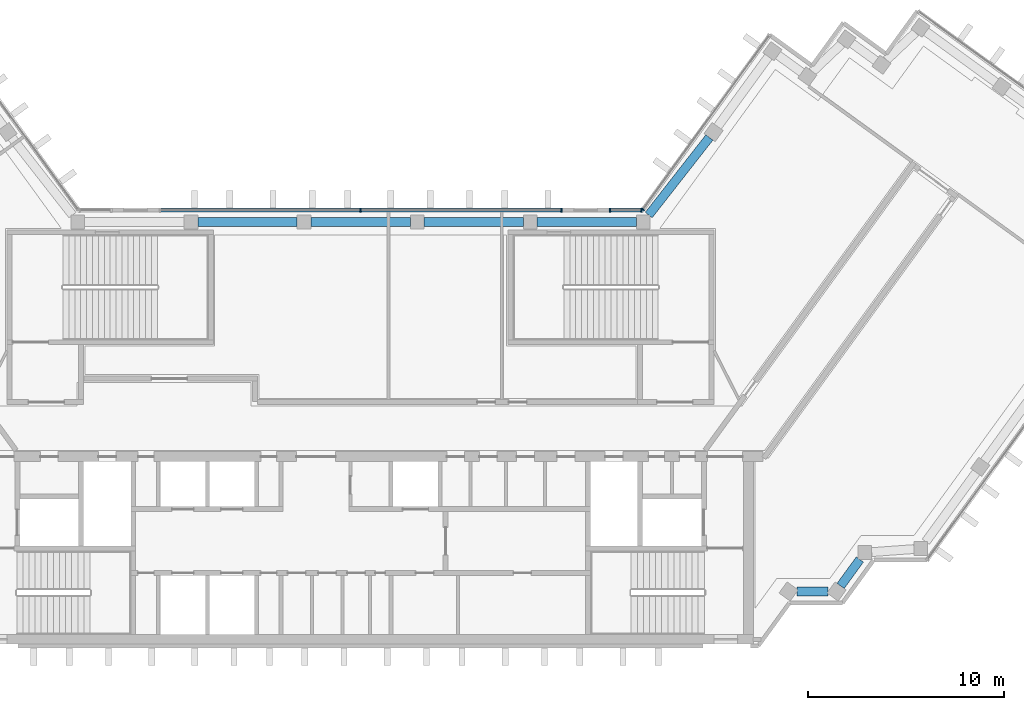
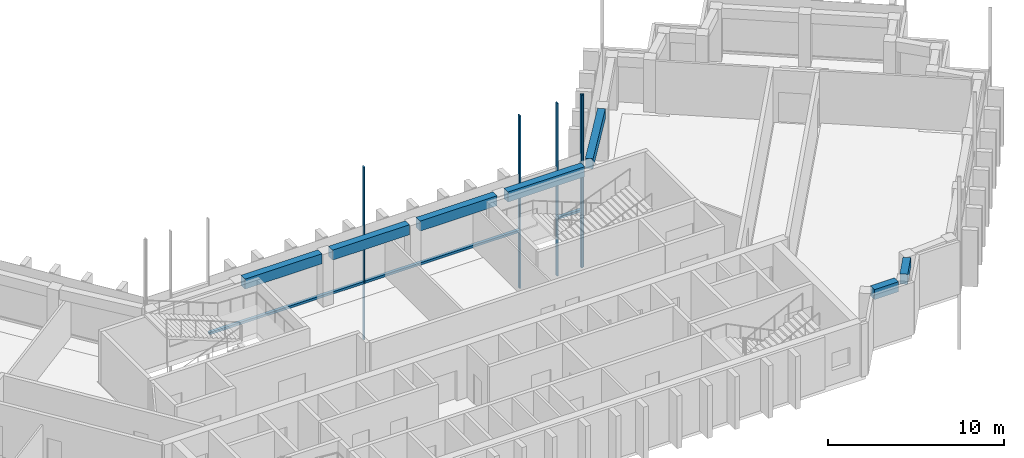
# One storey, part 3 of 13: 8 members, 7 beams, 3 elements without a shape of their own.
"""IFC4 building model written with IfcOpenShell, lengths in metres."""

import ifcopenshell
import ifcopenshell.guid

model = None  # the IFC model being written
_history = None  # IfcOwnerHistory: only IFC2X3 demands one
_inside = {}  # id of a spatial element -> (the spatial element, [elements in it])
_under = {}  # id of a project, library or spatial element -> (it, [spatial elements below it])
_declared = {}  # id of a project -> (the project, [libraries it declares])
_typed = {}  # id of a type object -> (the type object, [elements of that type])
_made_of = {}  # id of a material, layer set ... -> (it, [elements and type objects made of it])


def new_model(schema):
    """Start an empty IFC model of exactly this schema.

    Asked for "IFC4X3", IfcOpenShell would pick the latest addendum, in which some entities
    have other attributes; the version numbers below select the first issue.
    IFC2X3 requires an IfcOwnerHistory on every rooted entity: one is made here for all.
    """
    global model, _history
    if schema == "IFC4X3":
        model = ifcopenshell.file(schema_version=(4, 3, 0, 0))
    else:
        model = ifcopenshell.file(schema=schema)
    _inside.clear()
    _under.clear()
    _declared.clear()
    _typed.clear()
    _made_of.clear()
    _history = None
    if model.schema == "IFC2X3":
        org = make("IfcOrganization", Name="unknown")
        user = make(
            "IfcPersonAndOrganization",
            ThePerson=make("IfcPerson", FamilyName="unknown"),
            TheOrganization=org,
        )
        app = make(
            "IfcApplication",
            ApplicationDeveloper=org,
            Version="unknown",
            ApplicationFullName="unknown",
            ApplicationIdentifier="unknown",
        )
        _history = make(
            "IfcOwnerHistory",
            OwningUser=user,
            OwningApplication=app,
            ChangeAction="ADDED",
            CreationDate=0,
        )
    return model


def make(cls, **values):
    """One entity of the class cls with the attributes given. An attribute that is None is left unset."""
    return model.create_entity(
        cls, **{name: value for name, value in values.items() if value is not None}
    )


def rooted(cls, **values):
    """An entity with a GlobalId (a new one), such as an element, a storey or a relation."""
    return make(cls, GlobalId=ifcopenshell.guid.new(), OwnerHistory=_history, **values)


def si_unit(unit_type, name, prefix=None):
    """IfcSIUnit, for example si_unit("LENGTHUNIT", "METRE", prefix="MILLI")."""
    return make("IfcSIUnit", UnitType=unit_type, Prefix=prefix, Name=name)


def assignment(units):
    """IfcUnitAssignment: the units of a project."""
    return None if units is None else make("IfcUnitAssignment", Units=units)


def point(xyz):
    """IfcCartesianPoint."""
    return None if xyz is None else make("IfcCartesianPoint", Coordinates=xyz)


def direction(xyz):
    """IfcDirection."""
    return None if xyz is None else make("IfcDirection", DirectionRatios=xyz)


def frame(location, z_axis=None, x_axis=None):
    """IfcAxis2Placement3D, a coordinate frame: its origin and axes. An axis left out is left unset."""
    return make(
        "IfcAxis2Placement3D",
        Location=point(location),
        Axis=direction(z_axis),
        RefDirection=direction(x_axis),
    )


def frame_2d(location, x_axis=None):
    """IfcAxis2Placement2D, a coordinate frame in the plane: its origin and x axis."""
    return make(
        "IfcAxis2Placement2D", Location=point(location), RefDirection=direction(x_axis)
    )


def origin():
    """The frame at (0, 0, 0) with its axes left unset."""
    return frame((0.0, 0.0, 0.0))


def origin_2d():
    """The frame at (0, 0) in the plane with its x axis left unset."""
    return frame_2d((0.0, 0.0))


def place(relative_to, where):
    """IfcLocalPlacement: puts the frame where relative to a parent placement (None: the world)."""
    return make(
        "IfcLocalPlacement", PlacementRelTo=relative_to, RelativePlacement=where
    )


def context(
    kind, dimensions, precision=None, world=None, true_north=None, identifier=None
):
    """IfcGeometricRepresentationContext, for example the 3D "Model" context."""
    return make(
        "IfcGeometricRepresentationContext",
        ContextIdentifier=identifier,
        ContextType=kind,
        CoordinateSpaceDimension=dimensions,
        Precision=precision,
        WorldCoordinateSystem=world,
        TrueNorth=true_north,
    )


def subcontext(parent, identifier, kind, view, scale=None):
    """IfcGeometricRepresentationSubContext, for example "Body" below "Model"."""
    return make(
        "IfcGeometricRepresentationSubContext",
        ContextIdentifier=identifier,
        ContextType=kind,
        ParentContext=parent,
        TargetScale=scale,
        TargetView=view,
    )


def project(units=None, contexts=None):
    """IfcProject with its units and contexts."""
    return rooted(
        "IfcProject",
        Name="project",
        RepresentationContexts=contexts,
        UnitsInContext=assignment(units),
    )


def spatial(cls, under=None, at=None, **own):
    """A site, building, storey or space (cls), placed at a placement, below another one or the project."""
    s = rooted(cls, ObjectPlacement=at, **own)
    if under is not None:
        _under.setdefault(under.id(), (under, []))[1].append(s)
    return s


def profile(cls, at=None, kind="AREA", **sizes):
    """A parametric profile (cls). Its sizes go by their IFC names, for example OverallWidth=200.0."""
    return make(cls, ProfileType=kind, Position=at, **sizes)


def rectangle(**sizes):
    """IfcRectangleProfileDef."""
    return profile("IfcRectangleProfileDef", **sizes)


def extrude(swept, where, along, depth):
    """IfcExtrudedAreaSolid: the profile swept, set in the frame where, extruded along a direction by depth."""
    return make(
        "IfcExtrudedAreaSolid",
        SweptArea=swept,
        Position=where,
        ExtrudedDirection=direction(along),
        Depth=depth,
    )


def shape(context_of_items, identifier, shape_type, items):
    """IfcShapeRepresentation: the items that make up one representation, for example the "Body"."""
    return make(
        "IfcShapeRepresentation",
        ContextOfItems=context_of_items,
        RepresentationIdentifier=identifier,
        RepresentationType=shape_type,
        Items=items,
    )


def material(Name=None, Category=None):
    """IfcMaterial."""
    return make("IfcMaterial", Name=Name, Category=Category)


def material_profile(
    of_material, cross_section, Name=None, Category=None, Priority=None
):
    """IfcMaterialProfile: a cross section and its material."""
    return make(
        "IfcMaterialProfile",
        Name=Name,
        Material=of_material,
        Profile=cross_section,
        Priority=Priority,
        Category=Category,
    )


def profile_set(profiles, Name=None, composite=None):
    """IfcMaterialProfileSet."""
    return make(
        "IfcMaterialProfileSet",
        Name=Name,
        MaterialProfiles=profiles,
        CompositeProfile=composite,
    )


def made_of(thing, what):
    """Note that an element or type object is made of a material, layer set ...; save() writes the relation."""
    if what is not None:
        _made_of.setdefault(what.id(), (what, []))[1].append(thing)
    return thing


def type_object(cls, material=None, **own):
    """A type object (cls), such as IfcWallType, which elements share."""
    return made_of(rooted(cls, **own), material)


def element(
    cls,
    number,
    at=None,
    inside=None,
    cuts=None,
    type_object=None,
    material=None,
    context=None,
    identifier="Body",
    shape_type=None,
    held_by="IfcProductDefinitionShape",
    body=None,
    shapes=None,
    **own,
):
    """One element of the class cls, such as IfcWall. Its Tag is "e" and its number.

    at: its placement. inside: the storey or other place that contains it. cuts: it is an
    opening in that element (IfcRelVoidsElement). A single representation is given by context,
    identifier, shape_type and body (its items); several are given by shapes. held_by: the class
    of the entity that holds the representations. save() writes the other relations.
    """
    e = rooted(cls, Tag="e%d" % number, ObjectPlacement=at, **own)
    if body is not None:
        shapes = [shape(context, identifier, shape_type, body)]
    if shapes is not None:
        e.Representation = make(held_by, Representations=shapes)
    if inside is not None:
        _inside.setdefault(inside.id(), (inside, []))[1].append(e)
    if cuts is not None:
        rooted(
            "IfcRelVoidsElement", RelatingBuildingElement=cuts, RelatedOpeningElement=e
        )
    if type_object is not None:
        _typed.setdefault(type_object.id(), (type_object, []))[1].append(e)
    return made_of(e, material)


def aggregate(whole, parts):
    """IfcRelAggregates: a whole, such as a stair, and the parts it consists of."""
    return rooted("IfcRelAggregates", RelatingObject=whole, RelatedObjects=parts)


def save(model, path):
    """Write the relations noted so far, then the file.

    IfcRelAggregates (storeys below a building ...), IfcRelContainedInSpatialStructure (elements
    in a storey), IfcRelDefinesByType, IfcRelAssociatesMaterial and IfcRelDeclares: one each for
    every whole, place, type object, material and project.
    """
    for whole, parts in _under.values():
        aggregate(whole, parts)
    for where, things in _inside.values():
        rooted(
            "IfcRelContainedInSpatialStructure",
            RelatedElements=things,
            RelatingStructure=where,
        )
    for kind, things in _typed.values():
        rooted("IfcRelDefinesByType", RelatedObjects=things, RelatingType=kind)
    for what, things in _made_of.values():
        rooted("IfcRelAssociatesMaterial", RelatedObjects=things, RelatingMaterial=what)
    for by, libraries in _declared.values():
        rooted("IfcRelDeclares", RelatingContext=by, RelatedDefinitions=libraries)
    model.write(path)


model = new_model("IFC4")

# Units and contexts
model_context = context("Model", 3, precision=1e-05, world=origin(), true_north=direction((0.0, 1.0)))
body_context = subcontext(model_context, "Body", "Model", "MODEL_VIEW")
ifc_project = project(units=[si_unit("LENGTHUNIT", "METRE"), si_unit("AREAUNIT", "SQUARE_METRE"), si_unit("VOLUMEUNIT", "CUBIC_METRE"), si_unit("PLANEANGLEUNIT", "RADIAN"), si_unit("MASSUNIT", "GRAM", prefix="KILO")], contexts=[model_context])

# Site, building, storey
site_placement = place(None, origin())
site = spatial("IfcSite", under=ifc_project, at=site_placement, CompositionType="ELEMENT")
building_placement = place(site_placement, origin())
building = spatial("IfcBuilding", under=site, at=building_placement, Name="Quipu Civic Tower", CompositionType="ELEMENT")
storey_placement = place(building_placement, frame((0.0, 0.0, 285.0)))
storey = spatial("IfcBuildingStorey", under=building, at=storey_placement, Name="L66", CompositionType="ELEMENT", Elevation=285.0)

# Curtain wall, member
ifc_material_1 = material(Name="Insulated glass unit", Category="glass")
curtain_wall_type = type_object("IfcCurtainWallType", Name="Office curtain wall CW1", PredefinedType="NOTDEFINED", material=ifc_material_1)
curtain_wall_1_placement = place(storey_placement, origin())
curtain_wall_1 = element("IfcCurtainWall", 1, at=curtain_wall_1_placement, inside=storey, type_object=curtain_wall_type, Name="Office curtain wall CW1 L65 run 33", PredefinedType="NOTDEFINED")
ifc_material_2 = material(Name="Anodised aluminium", Category="aluminium")
ifc_material_profile_1 = material_profile(ifc_material_2, rectangle(XDim=0.199951171875, YDim=0.080078125, at=origin_2d()), Name="RECT 200x80")
ifc_profile_set_1 = profile_set([ifc_material_profile_1], Name="Anodised aluminium")
member_type_1 = type_object("IfcMemberType", Name="Mullion CW1", PredefinedType="MULLION", material=ifc_profile_set_1)
member_1_placement = place(storey_placement, frame((14.36767578125, 11.13232421875, -3.919921875), z_axis=(0.0, 0.0, 1.0), x_axis=(0.809015163947, -0.587787771652, 0.0)))
member_1 = element("IfcMember", 2, at=member_1_placement, type_object=member_type_1, Name="CW1 mullion 2", PredefinedType="MULLION", context=body_context, shape_type="SweptSolid", body=[
    extrude(rectangle(XDim=0.199951171875, YDim=0.080078125, at=origin_2d()), origin(), (0.0, 0.0, 1.0), 12.0),
])
aggregate(curtain_wall_1, [member_1])

# Curtain wall, members
curtain_wall_2_placement = place(storey_placement, origin())
curtain_wall_2 = element("IfcCurtainWall", 3, at=curtain_wall_2_placement, inside=storey, type_object=curtain_wall_type, Name="Office curtain wall CW1 L65 run 34", PredefinedType="NOTDEFINED")
member_2_placement = place(storey_placement, frame((14.30419921875, 11.10009765625, -3.919921875), z_axis=(0.0, 0.0, 1.0), x_axis=(0.0, -1.0, 0.0)))
member_2 = element("IfcMember", 4, at=member_2_placement, type_object=member_type_1, Name="CW1 mullion 1", PredefinedType="MULLION", context=body_context, shape_type="SweptSolid", body=[
    extrude(rectangle(XDim=0.199951171875, YDim=0.080078125, at=origin_2d()), origin(), (0.0, 0.0, 1.0), 12.0),
])
member_3_placement = place(storey_placement, frame((12.695068359375, 11.10009765625, -3.919921875), z_axis=(0.0, 0.0, 1.0), x_axis=(0.0, -1.0, 0.0)))
member_3 = element("IfcMember", 5, at=member_3_placement, type_object=member_type_1, Name="CW1 mullion 2", PredefinedType="MULLION", context=body_context, shape_type="SweptSolid", body=[
    extrude(rectangle(XDim=0.199951171875, YDim=0.080078125, at=origin_2d()), origin(), (0.0, 0.0, 1.0), 12.0),
])

curtain_wall_3_placement = place(storey_placement, origin())
curtain_wall_3 = element("IfcCurtainWall", 6, at=curtain_wall_3_placement, inside=storey, type_object=curtain_wall_type, Name="Office curtain wall CW1 L65 run 36", PredefinedType="NOTDEFINED")
member_4_placement = place(storey_placement, frame((10.223388671875, 11.10009765625, -3.919921875), z_axis=(0.0, 0.0, 1.0), x_axis=(0.0, -1.0, 0.0)))
member_4 = element("IfcMember", 7, at=member_4_placement, type_object=member_type_1, Name="CW1 mullion 1", PredefinedType="MULLION", context=body_context, shape_type="SweptSolid", body=[
    extrude(rectangle(XDim=0.199951171875, YDim=0.080078125, at=origin_2d()), origin(), (0.0, 0.0, 1.0), 12.0),
])
member_5_placement = place(storey_placement, frame((0.0, 11.10009765625, -3.919921875), z_axis=(0.0, 0.0, 1.0), x_axis=(0.0, -1.0, 0.0)))
member_5 = element("IfcMember", 8, at=member_5_placement, type_object=member_type_1, Name="CW1 mullion 2", PredefinedType="MULLION", context=body_context, shape_type="SweptSolid", body=[
    extrude(rectangle(XDim=0.199951171875, YDim=0.080078125, at=origin_2d()), origin(), (0.0, 0.0, 1.0), 12.0),
])

# Beams
ifc_material_3 = material(Name="Concrete C50/60", Category="concrete")
ifc_material_profile_2 = material_profile(ifc_material_3, rectangle(XDim=0.449951171875, YDim=0.699951171875, at=origin_2d()), Name="RC450x700")
ifc_profile_set_2 = profile_set([ifc_material_profile_2], Name="Concrete C50/60")
beam_type = type_object("IfcBeamType", Name="Spandrel beam RC 450x700 C50/60", PredefinedType="SPANDREL", material=ifc_profile_set_2)
beam_1_placement = place(storey_placement, frame((22.224365234375, -8.31494140625, 3.300048828125), z_axis=(1.0, 0.0, 0.0), x_axis=(0.0, 1.0, 0.0)))
element("IfcBeam", 9, at=beam_1_placement, inside=storey, type_object=beam_type, Name="Spandrel beam L66 J-Eo.1 to J-Eo.2", PredefinedType="SPANDREL", context=body_context, shape_type="SweptSolid", body=[
    extrude(rectangle(XDim=0.449951171875, YDim=0.699951171875, at=origin_2d()), origin(), (0.0, 0.0, 1.0), 1.578125),
])
beam_2_placement = place(storey_placement, frame((24.44091796875, -8.031982421875, 3.300048828125), z_axis=(0.588407300614, 0.80856468423, 0.0), x_axis=(-0.80856468423, 0.588407300614, 0.0)))
element("IfcBeam", 10, at=beam_2_placement, inside=storey, type_object=beam_type, Name="Spandrel beam L66 J-Eo.2 to J-Eo.3", PredefinedType="SPANDREL", context=body_context, shape_type="SweptSolid", body=[
    extrude(rectangle(XDim=0.449951171875, YDim=0.699951171875, at=origin_2d()), origin(), (0.0, 0.0, 1.0), 1.663330078125),
])
beam_3_placement = place(storey_placement, frame((17.7578125, 14.799072265625, 3.300048828125), z_axis=(-0.616106034519, -0.787663223865, 0.0), x_axis=(0.787663223865, -0.616106034519, 0.0)))
element("IfcBeam", 11, at=beam_3_placement, inside=storey, type_object=beam_type, Name="Spandrel beam L66 E-IN-01 to J-Ei.0", PredefinedType="SPANDREL", context=body_context, shape_type="SweptSolid", body=[
    extrude(rectangle(XDim=0.449951171875, YDim=0.699951171875, at=origin_2d()), origin(), (0.0, 0.0, 1.0), 5.013427734375),
])
for number, where, z_axis, x_axis, name in (
    (12, (14.045166015625, 10.5, 3.300048828125), (-1.0, 0.0, 0.0), (0.0, -1.0, 0.0), "Spandrel beam L66 J-Ei.0 to FRONT-01"),
    (13, (8.287109375, 10.5, 3.300048828125), (-1.0, 0.0, 0.0), (0.0, -1.0, 0.0), "Spandrel beam L66 FRONT-01 to FRONT-02"),
    (14, (2.529052734375, 10.5, 3.300048828125), (-1.0, 0.0, 0.0), (0.0, -1.0, 0.0), "Spandrel beam L66 FRONT-02 to FRONT-03"),
    (15, (-3.22900390625, 10.5, 3.300048828125), (-1.0, 0.0, 0.0), (0.0, -1.0, 0.0), "Spandrel beam L66 FRONT-03 to FRONT-04"),
):
    element("IfcBeam", number, at=place(storey_placement, frame(where, z_axis=z_axis, x_axis=x_axis)), inside=storey, type_object=beam_type, Name=name, PredefinedType="SPANDREL", context=body_context, shape_type="SweptSolid", body=[
        extrude(rectangle(XDim=0.449951171875, YDim=0.699951171875, at=origin_2d()), origin(), (0.0, 0.0, 1.0), 5.05810546875),
    ])

# Member
ifc_material_4 = material(Name="Anodised aluminium", Category="aluminium")
ifc_material_profile_3 = material_profile(ifc_material_4, rectangle(XDim=0.199951171875, YDim=0.159912109375, at=origin_2d()), Name="RECT 200x160")
ifc_profile_set_3 = profile_set([ifc_material_profile_3], Name="Anodised aluminium")
member_type_2 = type_object("IfcMemberType", Name="Transom CW1", PredefinedType="USERDEFINED", material=ifc_profile_set_3)
member_6_placement = place(storey_placement, frame((14.26416015625, 11.10009765625, 0.080078125), z_axis=(-1.0, 0.0, 0.0), x_axis=(0.0, -1.0, 0.0)))
member_6 = element("IfcMember", 16, at=member_6_placement, type_object=member_type_2, Name="CW1 transom 1.2", ObjectType="TRANSOM", PredefinedType="USERDEFINED", context=body_context, shape_type="SweptSolid", body=[
    extrude(rectangle(XDim=0.199951171875, YDim=0.159912109375, at=origin_2d()), origin(), (0.0, 0.0, 1.0), 1.529052734375),
])

aggregate(curtain_wall_2, [member_2, member_3, member_6])

member_7_placement = place(storey_placement, frame((10.18359375, 11.10009765625, 0.080078125), z_axis=(-1.0, 0.0, 0.0), x_axis=(0.0, -1.0, 0.0)))
member_7 = element("IfcMember", 17, at=member_7_placement, type_object=member_type_2, Name="CW1 transom 1.2", ObjectType="TRANSOM", PredefinedType="USERDEFINED", context=body_context, shape_type="SweptSolid", body=[
    extrude(rectangle(XDim=0.199951171875, YDim=0.159912109375, at=origin_2d()), origin(), (0.0, 0.0, 1.0), 10.1435546875),
])

member_8_placement = place(storey_placement, frame((-0.0400390625, 11.10009765625, 0.080078125), z_axis=(-1.0, 0.0, 0.0), x_axis=(0.0, -1.0, 0.0)))
member_8 = element("IfcMember", 18, at=member_8_placement, type_object=member_type_2, Name="CW1 transom 2.2", ObjectType="TRANSOM", PredefinedType="USERDEFINED", context=body_context, shape_type="SweptSolid", body=[
    extrude(rectangle(XDim=0.199951171875, YDim=0.159912109375, at=origin_2d()), origin(), (0.0, 0.0, 1.0), 10.1435546875),
])

aggregate(curtain_wall_3, [member_4, member_5, member_7, member_8])

save(model, "model.ifc")
